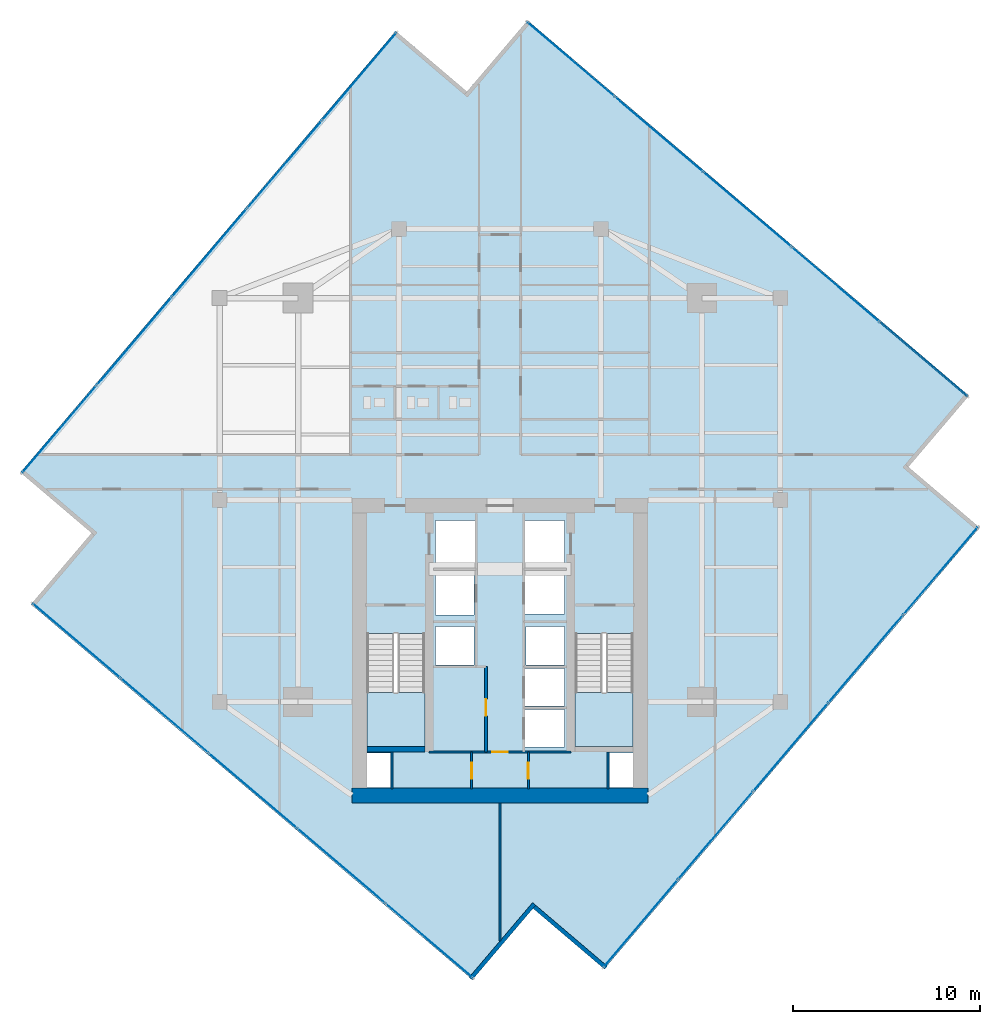
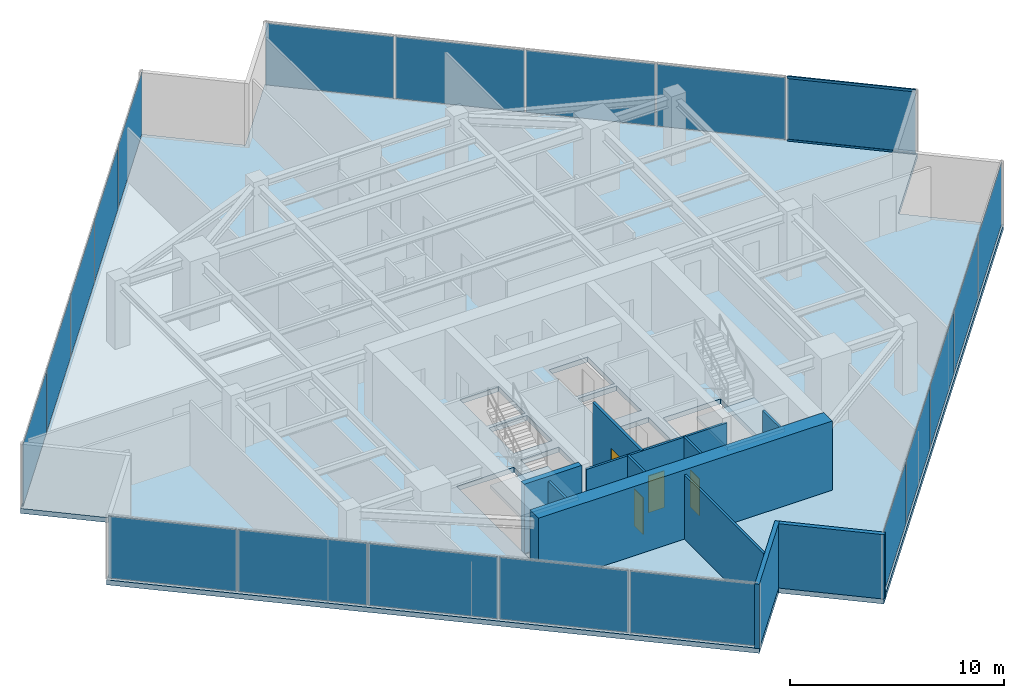
# One storey, part 21 of 26: 20 plates, 11 walls, 4 doors, 3 slabs, 2 members, 4 openings, 6 elements without a shape of their own.
"""IFC4 building model written with IfcOpenShell, lengths in metres."""

from ifc_helpers import new_model, si_unit, direction, frame, frame_2d, origin, origin_2d, place, context, subcontext, project, spatial, polyline, rectangle, hollow_rectangle, outline, extrude, source, transform, mapped, material, layer, layer_set, material_profile, profile_set, type_object, type_shapes, element, fill, aggregate, save


model = new_model("IFC4")

# Units and contexts
model_context = context("Model", 3, precision=1e-05, world=origin(), true_north=direction((0.0, 1.0)))
body_context = subcontext(model_context, "Body", "Model", "MODEL_VIEW")
ifc_project = project(units=[si_unit("LENGTHUNIT", "METRE"), si_unit("AREAUNIT", "SQUARE_METRE"), si_unit("VOLUMEUNIT", "CUBIC_METRE"), si_unit("PLANEANGLEUNIT", "RADIAN"), si_unit("MASSUNIT", "GRAM", prefix="KILO")], contexts=[model_context])

# Site, building, storey
site_placement = place(None, origin())
site = spatial("IfcSite", under=ifc_project, at=site_placement, CompositionType="ELEMENT")
building_placement = place(site_placement, origin())
building = spatial("IfcBuilding", under=site, at=building_placement, Name="Krantzveldt Concourse Tower", CompositionType="ELEMENT")
storey_placement = place(building_placement, frame((0.0, 0.0, 207.300048828125)))
storey = spatial("IfcBuildingStorey", under=building, at=storey_placement, Name="L50", CompositionType="ELEMENT", Elevation=207.300048828125)

# Curtain wall, members
ifc_material_1 = material(Name="Anodised aluminium 6063-T6", Category="aluminium")
curtain_wall_type = type_object("IfcCurtainWallType", Name="CW3", PredefinedType="USERDEFINED", material=ifc_material_1)
curtain_wall_1_placement = place(storey_placement, origin())
curtain_wall_1 = element("IfcCurtainWall", 1, at=curtain_wall_1_placement, inside=storey, type_object=curtain_wall_type, Name="CW-L50-F10", ObjectType="UNITISED CURTAIN WALL", PredefinedType="USERDEFINED")
ifc_material_profile = material_profile(ifc_material_1, hollow_rectangle(XDim=0.070068359375, YDim=0.139892578125, WallThickness=0.0048828125, at=origin_2d()), Name="Anodised aluminium 6063-T6", Category="aluminium")
ifc_profile_set = profile_set([ifc_material_profile], Name="Anodised aluminium 6063-T6 - ALU-TRAN 140x70x5")
member_type = type_object("IfcMemberType", Name="CW-TRN-150", PredefinedType="USERDEFINED", material=ifc_profile_set)
shared_shape_1 = source(origin(), body_context, "Body", "SweptSolid", [
    extrude(hollow_rectangle(XDim=0.070068359375, YDim=0.139892578125, WallThickness=0.0048828125, at=origin_2d()), origin(), (0.0, 0.0, 1.0), 6.094970703125),
])
type_shapes(member_type, [shared_shape_1])
member_1_placement = place(storey_placement, frame((60.976318359375, 32.25341796875, 0.034912109375), z_axis=(-0.761823672468, 0.64778444877, 0.0), x_axis=(-0.64778444877, -0.761823672468, 0.0)))
member_1 = element("IfcMember", 2, at=member_1_placement, type_object=member_type, Name="CW-Z34 transom 1.1", ObjectType="TRANSOM", PredefinedType="USERDEFINED", context=body_context, shape_type="MappedRepresentation", body=[
    mapped(shared_shape_1, transform((0.0, 0.0, 0.0), x_axis=(1.0, 0.0, 0.0), y_axis=(0.0, 1.0, 0.0), z_axis=(0.0, 0.0, 1.0), scale=1.0)),
])
member_2_placement = place(storey_placement, frame((60.976318359375, 32.25341796875, 3.635009765625), z_axis=(-0.761823672468, 0.64778444877, 0.0), x_axis=(-0.64778444877, -0.761823672468, 0.0)))
member_2 = element("IfcMember", 3, at=member_2_placement, type_object=member_type, Name="CW-Z34 transom 1.2", ObjectType="TRANSOM", PredefinedType="USERDEFINED", context=body_context, shape_type="MappedRepresentation", body=[
    mapped(shared_shape_1, transform((0.0, 0.0, 0.0), x_axis=(1.0, 0.0, 0.0), y_axis=(0.0, 1.0, 0.0), z_axis=(0.0, 0.0, 1.0), scale=1.0)),
])

# Stair, slab
ifc_material_2 = material(Name="Precast concrete C40/50", Category="concrete")
stair_type = type_object("IfcStairType", Name="STR-CORE-DOGLEG", PredefinedType="HALF_TURN_STAIR", material=ifc_material_2)
stair_1_placement = place(storey_placement, origin())
stair_1 = element("IfcStair", 4, at=stair_1_placement, inside=storey, type_object=stair_type, Name="L50 Protected Escape Stair ST-1", PredefinedType="HALF_TURN_STAIR")
ifc_layer_1 = layer(ifc_material_2, 0.199951171875, Name="Precast concrete C40/50", Category="concrete")
ifc_layer_set_1 = layer_set([ifc_layer_1], Name="Precast concrete C40/50 (SL-LANDING-200)")
slab_type_1 = type_object("IfcSlabType", Name="SL-LANDING-200", PredefinedType="LANDING", material=ifc_layer_set_1)
slab_1_placement = place(storey_placement, frame((0.0, 0.0, 1.77490234375)))
slab_1 = element("IfcSlab", 5, at=slab_1_placement, type_object=slab_type_1, Name="ST-1 landing 1", PredefinedType="LANDING", context=body_context, shape_type="SweptSolid", body=[
    extrude(outline(polyline([(28.8798828125, 16.4150390625), (28.8798828125, 13.52001953125), (31.97998046875, 13.52001953125), (31.97998046875, 16.4150390625), (28.8798828125, 16.4150390625)])), origin(), (0.0, 0.0, 1.0), 0.199951171875),
])
aggregate(stair_1, [slab_1])

stair_2_placement = place(storey_placement, origin())
stair_2 = element("IfcStair", 6, at=stair_2_placement, inside=storey, type_object=stair_type, Name="L50 Protected Escape Stair ST-2", PredefinedType="HALF_TURN_STAIR")
slab_2_placement = place(storey_placement, frame((0.0, 0.0, 1.77490234375)))
slab_2 = element("IfcSlab", 7, at=slab_2_placement, type_object=slab_type_1, Name="ST-2 landing 1", PredefinedType="LANDING", context=body_context, shape_type="SweptSolid", body=[
    extrude(outline(polyline([(40.02001953125, 16.4150390625), (40.02001953125, 13.52001953125), (43.1201171875, 13.52001953125), (43.1201171875, 16.4150390625), (40.02001953125, 16.4150390625)])), origin(), (0.0, 0.0, 1.0), 0.199951171875),
])
aggregate(stair_2, [slab_2])

# Slab
ifc_material_3 = material(Name="Concrete C40/50", Category="concrete")
ifc_layer_2 = layer(ifc_material_3, 0.280029296875, Name="Concrete C40/50", Category="concrete")
ifc_layer_set_2 = layer_set([ifc_layer_2], Name="Concrete C40/50 (SL-SL-TWR280)")
slab_type_2 = type_object("IfcSlabType", Name="SL-SL-TWR280", PredefinedType="FLOOR", material=ifc_layer_set_2)
slab_3_placement = place(storey_placement, frame((0.0, 0.0, -0.280029296875)))
element("IfcSlab", 8, at=slab_3_placement, inside=storey, type_object=slab_type_2, Name="SL-L50-MAIN", PredefinedType="FLOOR", context=body_context, shape_type="SweptSolid", body=[
    extrude(outline(polyline([(34.232421875, 48.548828125), (30.42333984375, 51.787841796875), (10.342041015625, 28.17138671875), (14.151123046875, 24.932373046875), (10.912109375, 21.123291015625), (34.528564453125, 1.0419921875), (37.767578125, 4.85107421875), (41.57666015625, 1.612060546875), (61.657958984375, 25.228515625), (57.848876953125, 28.467529296875), (61.087890625, 32.276611328125), (37.471435546875, 52.358154296875), (34.232421875, 48.548828125)]), holes=[polyline([(28.8798828125, 19.547607421875), (28.8798828125, 13.52001953125), (31.97998046875, 13.52001953125), (31.97998046875, 19.547607421875), (28.8798828125, 19.547607421875)]), polyline([(40.02001953125, 19.547607421875), (40.02001953125, 13.52001953125), (43.1201171875, 13.52001953125), (43.1201171875, 19.547607421875), (40.02001953125, 19.547607421875)]), polyline([(32.550048828125, 23.10009765625), (34.64990234375, 23.10009765625), (34.64990234375, 25.60009765625), (32.550048828125, 25.60009765625), (32.550048828125, 23.10009765625)]), polyline([(37.35009765625, 23.10009765625), (39.449951171875, 23.10009765625), (39.449951171875, 25.60009765625), (37.35009765625, 25.60009765625), (37.35009765625, 23.10009765625)]), polyline([(37.35009765625, 20.60009765625), (39.449951171875, 20.60009765625), (39.449951171875, 22.89990234375), (37.35009765625, 22.89990234375), (37.35009765625, 20.60009765625)]), polyline([(37.35009765625, 13.47998046875), (39.449951171875, 13.47998046875), (39.449951171875, 15.47998046875), (37.35009765625, 15.47998046875), (37.35009765625, 13.47998046875)]), polyline([(37.35009765625, 15.679931640625), (39.449951171875, 15.679931640625), (39.449951171875, 17.679931640625), (37.35009765625, 17.679931640625), (37.35009765625, 15.679931640625)]), polyline([(32.550048828125, 20.550048828125), (34.6201171875, 20.550048828125), (34.6201171875, 22.89990234375), (32.550048828125, 22.89990234375), (32.550048828125, 20.550048828125)]), polyline([(32.550048828125, 17.8798828125), (34.6201171875, 17.8798828125), (34.6201171875, 19.919921875), (32.550048828125, 19.919921875), (32.550048828125, 17.8798828125)]), polyline([(37.3798828125, 17.8798828125), (39.449951171875, 17.8798828125), (39.449951171875, 19.919921875), (37.3798828125, 19.919921875), (37.3798828125, 17.8798828125)]), polyline([(28.8798828125, 11.320068359375), (30.139892578125, 11.320068359375), (30.139892578125, 13.159912109375), (28.8798828125, 13.159912109375), (28.8798828125, 11.320068359375)]), polyline([(41.860107421875, 11.320068359375), (43.1201171875, 11.320068359375), (43.1201171875, 13.159912109375), (41.860107421875, 13.159912109375), (41.860107421875, 11.320068359375)])]), origin(), (0.0, 0.0, 1.0), 0.280029296875),
])

# Curtain wall, plates
curtain_wall_2_placement = place(storey_placement, origin())
curtain_wall_2 = element("IfcCurtainWall", 9, at=curtain_wall_2_placement, inside=storey, type_object=curtain_wall_type, Name="CW-L50-F01", ObjectType="UNITISED CURTAIN WALL", PredefinedType="USERDEFINED")
ifc_material_4 = material(Name="Bronze-tinted laminated low-E IGU glass", Category="glass")
ifc_layer_3 = layer(ifc_material_4, 0.031982421875, Name="Bronze-tinted laminated low-E IGU glass", Category="glass")
ifc_layer_set_3 = layer_set([ifc_layer_3], Name="Bronze-tinted laminated low-E IGU glass (CW-GLZ-32)")
plate_type = type_object("IfcPlateType", Name="CW-GLZ-32", PredefinedType="CURTAIN_PANEL", material=ifc_layer_set_3)
shared_shape_2 = source(origin(), body_context, "Body", "SweptSolid", [
    extrude(rectangle(XDim=6.094970703125, YDim=0.031982421875, at=origin_2d()), origin(), (0.0, 0.0, 1.0), 3.530029296875),
])
plate_1_placement = place(storey_placement, frame((28.472412109375, 49.3544921875, 0.06982421875), z_axis=(0.0, 0.0, 1.0), x_axis=(-0.647787694805, -0.761820912327, 0.0)))
plate_1 = element("IfcPlate", 10, at=plate_1_placement, type_object=plate_type, Name="CW-Z34 panel 1.1", PredefinedType="CURTAIN_PANEL", context=body_context, shape_type="MappedRepresentation", body=[
    mapped(shared_shape_2, transform((0.0, 0.0, 0.0), x_axis=(1.0, 0.0, 0.0), y_axis=(0.0, 1.0, 0.0), z_axis=(0.0, 0.0, 1.0), scale=1.0)),
])
plate_2_placement = place(storey_placement, frame((12.429931640625, 30.488037109375, 0.06982421875), z_axis=(0.0, 0.0, 1.0), x_axis=(-0.647787694805, -0.761820912327, 0.0)))
plate_2 = element("IfcPlate", 11, at=plate_2_placement, type_object=plate_type, Name="CW-Z34 panel 5.1", PredefinedType="CURTAIN_PANEL", context=body_context, shape_type="MappedRepresentation", body=[
    mapped(shared_shape_2, transform((0.0, 0.0, 0.0), x_axis=(1.0, 0.0, 0.0), y_axis=(0.0, 1.0, 0.0), z_axis=(0.0, 0.0, 1.0), scale=1.0)),
])

curtain_wall_3_placement = place(storey_placement, origin())
curtain_wall_3 = element("IfcCurtainWall", 12, at=curtain_wall_3_placement, inside=storey, type_object=curtain_wall_type, Name="CW-L50-F04", ObjectType="UNITISED CURTAIN WALL", PredefinedType="USERDEFINED")
plate_3_placement = place(storey_placement, frame((13.345458984375, 19.17236328125, 0.06982421875), z_axis=(0.0, 0.0, 1.0), x_axis=(0.761820912327, -0.647787694805, 0.0)))
plate_3 = element("IfcPlate", 13, at=plate_3_placement, type_object=plate_type, Name="CW-Z34 panel 1.1", PredefinedType="CURTAIN_PANEL", context=body_context, shape_type="MappedRepresentation", body=[
    mapped(shared_shape_2, transform((0.0, 0.0, 0.0), x_axis=(1.0, 0.0, 0.0), y_axis=(0.0, 1.0, 0.0), z_axis=(0.0, 0.0, 1.0), scale=1.0)),
])
plate_4_placement = place(storey_placement, frame((32.2119140625, 3.1298828125, 0.06982421875), z_axis=(0.0, 0.0, 1.0), x_axis=(0.761820912327, -0.647787694805, 0.0)))
plate_4 = element("IfcPlate", 14, at=plate_4_placement, type_object=plate_type, Name="CW-Z34 panel 5.1", PredefinedType="CURTAIN_PANEL", context=body_context, shape_type="MappedRepresentation", body=[
    mapped(shared_shape_2, transform((0.0, 0.0, 0.0), x_axis=(1.0, 0.0, 0.0), y_axis=(0.0, 1.0, 0.0), z_axis=(0.0, 0.0, 1.0), scale=1.0)),
])

curtain_wall_4_placement = place(storey_placement, origin())
curtain_wall_4 = element("IfcCurtainWall", 15, at=curtain_wall_4_placement, inside=storey, type_object=curtain_wall_type, Name="CW-L50-F07", ObjectType="UNITISED CURTAIN WALL", PredefinedType="USERDEFINED")
plate_5_placement = place(storey_placement, frame((43.527587890625, 4.04541015625, 0.06982421875), z_axis=(0.0, 0.0, 1.0), x_axis=(0.647787694805, 0.761820912327, 0.0)))
plate_5 = element("IfcPlate", 16, at=plate_5_placement, type_object=plate_type, Name="CW-Z34 panel 1.1", PredefinedType="CURTAIN_PANEL", context=body_context, shape_type="MappedRepresentation", body=[
    mapped(shared_shape_2, transform((0.0, 0.0, 0.0), x_axis=(1.0, 0.0, 0.0), y_axis=(0.0, 1.0, 0.0), z_axis=(0.0, 0.0, 1.0), scale=1.0)),
])
plate_6_placement = place(storey_placement, frame((59.570068359375, 22.911865234375, 0.06982421875), z_axis=(0.0, 0.0, 1.0), x_axis=(0.647787694805, 0.761820912327, 0.0)))
plate_6 = element("IfcPlate", 17, at=plate_6_placement, type_object=plate_type, Name="CW-Z34 panel 5.1", PredefinedType="CURTAIN_PANEL", context=body_context, shape_type="MappedRepresentation", body=[
    mapped(shared_shape_2, transform((0.0, 0.0, 0.0), x_axis=(1.0, 0.0, 0.0), y_axis=(0.0, 1.0, 0.0), z_axis=(0.0, 0.0, 1.0), scale=1.0)),
])

# Plate
plate_7_placement = place(storey_placement, frame((58.654541015625, 34.2275390625, 0.06982421875), z_axis=(0.0, 0.0, 1.0), x_axis=(-0.761820912327, 0.647787694805, 0.0)))
plate_7 = element("IfcPlate", 18, at=plate_7_placement, type_object=plate_type, Name="CW-Z34 panel 1.1", PredefinedType="CURTAIN_PANEL", context=body_context, shape_type="MappedRepresentation", body=[
    mapped(shared_shape_2, transform((0.0, 0.0, 0.0), x_axis=(1.0, 0.0, 0.0), y_axis=(0.0, 1.0, 0.0), z_axis=(0.0, 0.0, 1.0), scale=1.0)),
])

plate_8_placement = place(storey_placement, frame((39.7880859375, 50.27001953125, 0.06982421875), z_axis=(0.0, 0.0, 1.0), x_axis=(-0.761820912327, 0.647787694805, 0.0)))
plate_8 = element("IfcPlate", 19, at=plate_8_placement, type_object=plate_type, Name="CW-Z34 panel 5.1", PredefinedType="CURTAIN_PANEL", context=body_context, shape_type="MappedRepresentation", body=[
    mapped(shared_shape_2, transform((0.0, 0.0, 0.0), x_axis=(1.0, 0.0, 0.0), y_axis=(0.0, 1.0, 0.0), z_axis=(0.0, 0.0, 1.0), scale=1.0)),
])

shared_shape_3 = source(origin(), body_context, "Body", "SweptSolid", [
    extrude(rectangle(XDim=6.1298828125, YDim=0.031982421875, at=origin_2d()), origin(), (0.0, 0.0, 1.0), 3.530029296875),
])
type_shapes(plate_type, [shared_shape_2, shared_shape_3])
plate_9_placement = place(storey_placement, frame((24.467529296875, 44.64453125, 0.06982421875), z_axis=(0.0, 0.0, 1.0), x_axis=(-0.647787694805, -0.761820912327, 0.0)))
plate_9 = element("IfcPlate", 20, at=plate_9_placement, type_object=plate_type, Name="CW-Z34 panel 2.1", PredefinedType="CURTAIN_PANEL", context=body_context, shape_type="MappedRepresentation", body=[
    mapped(shared_shape_3, transform((0.0, 0.0, 0.0), x_axis=(1.0, 0.0, 0.0), y_axis=(0.0, 1.0, 0.0), z_axis=(0.0, 0.0, 1.0), scale=1.0)),
])

plate_10_placement = place(storey_placement, frame((20.451171875, 39.92138671875, 0.06982421875), z_axis=(0.0, 0.0, 1.0), x_axis=(-0.647787694805, -0.761820912327, 0.0)))
plate_10 = element("IfcPlate", 21, at=plate_10_placement, type_object=plate_type, Name="CW-Z34 panel 3.1", PredefinedType="CURTAIN_PANEL", context=body_context, shape_type="MappedRepresentation", body=[
    mapped(shared_shape_3, transform((0.0, 0.0, 0.0), x_axis=(1.0, 0.0, 0.0), y_axis=(0.0, 1.0, 0.0), z_axis=(0.0, 0.0, 1.0), scale=1.0)),
])

plate_11_placement = place(storey_placement, frame((16.43505859375, 35.197998046875, 0.06982421875), z_axis=(0.0, 0.0, 1.0), x_axis=(-0.647787694805, -0.761820912327, 0.0)))
plate_11 = element("IfcPlate", 22, at=plate_11_placement, type_object=plate_type, Name="CW-Z34 panel 4.1", PredefinedType="CURTAIN_PANEL", context=body_context, shape_type="MappedRepresentation", body=[
    mapped(shared_shape_3, transform((0.0, 0.0, 0.0), x_axis=(1.0, 0.0, 0.0), y_axis=(0.0, 1.0, 0.0), z_axis=(0.0, 0.0, 1.0), scale=1.0)),
])

aggregate(curtain_wall_2, [plate_1, plate_9, plate_10, plate_11, plate_2])

plate_12_placement = place(storey_placement, frame((18.055419921875, 15.16748046875, 0.06982421875), z_axis=(0.0, 0.0, 1.0), x_axis=(0.761820912327, -0.647787694805, 0.0)))
plate_12 = element("IfcPlate", 23, at=plate_12_placement, type_object=plate_type, Name="CW-Z34 panel 2.1", PredefinedType="CURTAIN_PANEL", context=body_context, shape_type="MappedRepresentation", body=[
    mapped(shared_shape_3, transform((0.0, 0.0, 0.0), x_axis=(1.0, 0.0, 0.0), y_axis=(0.0, 1.0, 0.0), z_axis=(0.0, 0.0, 1.0), scale=1.0)),
])

plate_13_placement = place(storey_placement, frame((22.778564453125, 11.151123046875, 0.06982421875), z_axis=(0.0, 0.0, 1.0), x_axis=(0.761820912327, -0.647787694805, 0.0)))
plate_13 = element("IfcPlate", 24, at=plate_13_placement, type_object=plate_type, Name="CW-Z34 panel 3.1", PredefinedType="CURTAIN_PANEL", context=body_context, shape_type="MappedRepresentation", body=[
    mapped(shared_shape_3, transform((0.0, 0.0, 0.0), x_axis=(1.0, 0.0, 0.0), y_axis=(0.0, 1.0, 0.0), z_axis=(0.0, 0.0, 1.0), scale=1.0)),
])

plate_14_placement = place(storey_placement, frame((27.501953125, 7.135009765625, 0.06982421875), z_axis=(0.0, 0.0, 1.0), x_axis=(0.761820912327, -0.647787694805, 0.0)))
plate_14 = element("IfcPlate", 25, at=plate_14_placement, type_object=plate_type, Name="CW-Z34 panel 4.1", PredefinedType="CURTAIN_PANEL", context=body_context, shape_type="MappedRepresentation", body=[
    mapped(shared_shape_3, transform((0.0, 0.0, 0.0), x_axis=(1.0, 0.0, 0.0), y_axis=(0.0, 1.0, 0.0), z_axis=(0.0, 0.0, 1.0), scale=1.0)),
])

aggregate(curtain_wall_3, [plate_3, plate_12, plate_13, plate_14, plate_4])

plate_15_placement = place(storey_placement, frame((47.532470703125, 8.75537109375, 0.06982421875), z_axis=(0.0, 0.0, 1.0), x_axis=(0.647787694805, 0.761820912327, 0.0)))
plate_15 = element("IfcPlate", 26, at=plate_15_placement, type_object=plate_type, Name="CW-Z34 panel 2.1", PredefinedType="CURTAIN_PANEL", context=body_context, shape_type="MappedRepresentation", body=[
    mapped(shared_shape_3, transform((0.0, 0.0, 0.0), x_axis=(1.0, 0.0, 0.0), y_axis=(0.0, 1.0, 0.0), z_axis=(0.0, 0.0, 1.0), scale=1.0)),
])

plate_16_placement = place(storey_placement, frame((51.548828125, 13.478759765625, 0.06982421875), z_axis=(0.0, 0.0, 1.0), x_axis=(0.647787694805, 0.761820912327, 0.0)))
plate_16 = element("IfcPlate", 27, at=plate_16_placement, type_object=plate_type, Name="CW-Z34 panel 3.1", PredefinedType="CURTAIN_PANEL", context=body_context, shape_type="MappedRepresentation", body=[
    mapped(shared_shape_3, transform((0.0, 0.0, 0.0), x_axis=(1.0, 0.0, 0.0), y_axis=(0.0, 1.0, 0.0), z_axis=(0.0, 0.0, 1.0), scale=1.0)),
])

plate_17_placement = place(storey_placement, frame((55.56494140625, 18.201904296875, 0.06982421875), z_axis=(0.0, 0.0, 1.0), x_axis=(0.647787694805, 0.761820912327, 0.0)))
plate_17 = element("IfcPlate", 28, at=plate_17_placement, type_object=plate_type, Name="CW-Z34 panel 4.1", PredefinedType="CURTAIN_PANEL", context=body_context, shape_type="MappedRepresentation", body=[
    mapped(shared_shape_3, transform((0.0, 0.0, 0.0), x_axis=(1.0, 0.0, 0.0), y_axis=(0.0, 1.0, 0.0), z_axis=(0.0, 0.0, 1.0), scale=1.0)),
])

aggregate(curtain_wall_4, [plate_5, plate_15, plate_16, plate_17, plate_6])

plate_18_placement = place(storey_placement, frame((53.944580078125, 38.232421875, 0.06982421875), z_axis=(0.0, 0.0, 1.0), x_axis=(-0.761820912327, 0.647787694805, 0.0)))
plate_18 = element("IfcPlate", 29, at=plate_18_placement, type_object=plate_type, Name="CW-Z34 panel 2.1", PredefinedType="CURTAIN_PANEL", context=body_context, shape_type="MappedRepresentation", body=[
    mapped(shared_shape_3, transform((0.0, 0.0, 0.0), x_axis=(1.0, 0.0, 0.0), y_axis=(0.0, 1.0, 0.0), z_axis=(0.0, 0.0, 1.0), scale=1.0)),
])

plate_19_placement = place(storey_placement, frame((49.221435546875, 42.248779296875, 0.06982421875), z_axis=(0.0, 0.0, 1.0), x_axis=(-0.761820912327, 0.647787694805, 0.0)))
plate_19 = element("IfcPlate", 30, at=plate_19_placement, type_object=plate_type, Name="CW-Z34 panel 3.1", PredefinedType="CURTAIN_PANEL", context=body_context, shape_type="MappedRepresentation", body=[
    mapped(shared_shape_3, transform((0.0, 0.0, 0.0), x_axis=(1.0, 0.0, 0.0), y_axis=(0.0, 1.0, 0.0), z_axis=(0.0, 0.0, 1.0), scale=1.0)),
])

plate_20_placement = place(storey_placement, frame((44.498046875, 46.26513671875, 0.06982421875), z_axis=(0.0, 0.0, 1.0), x_axis=(-0.761820912327, 0.647787694805, 0.0)))
plate_20 = element("IfcPlate", 31, at=plate_20_placement, type_object=plate_type, Name="CW-Z34 panel 4.1", PredefinedType="CURTAIN_PANEL", context=body_context, shape_type="MappedRepresentation", body=[
    mapped(shared_shape_3, transform((0.0, 0.0, 0.0), x_axis=(1.0, 0.0, 0.0), y_axis=(0.0, 1.0, 0.0), z_axis=(0.0, 0.0, 1.0), scale=1.0)),
])

aggregate(curtain_wall_1, [member_1, member_2, plate_7, plate_18, plate_19, plate_20, plate_8])

# Walls
ifc_layer_4 = layer(ifc_material_1, 0.219970703125, Name="Anodised aluminium 6063-T6", Category="aluminium")
ifc_layer_set_4 = layer_set([ifc_layer_4], Name="Anodised aluminium 6063-T6 (WL-EXT-NOTCH220)")
wall_type_1 = type_object("IfcWallType", Name="WL-EXT-NOTCH220", PredefinedType="ELEMENTEDWALL", material=ifc_layer_set_4)
wall_1_placement = place(storey_placement, frame((34.428466796875, 1.09423828125, 0.0), z_axis=(0.0, 0.0, 1.0), x_axis=(0.647807844474, 0.761803778304, 0.0)))
element("IfcWall", 32, at=wall_1_placement, inside=storey, type_object=wall_type_1, Name="EW-L50-NCH05", PredefinedType="ELEMENTEDWALL", context=body_context, shape_type="SweptSolid", body=[
    extrude(rectangle(XDim=5.244873046875, YDim=0.219970703125, at=frame_2d((2.62255859375, 0.0))), origin(), (0.0, 0.0, 1.0), 3.669921875),
])
wall_2_placement = place(storey_placement, frame((37.8388671875, 4.934814453125, 0.0), z_axis=(0.0, 0.0, 1.0), x_axis=(0.761819427757, -0.647789440707, 0.0)))
element("IfcWall", 33, at=wall_2_placement, inside=storey, type_object=wall_type_1, Name="EW-L50-NCH06", PredefinedType="ELEMENTEDWALL", context=body_context, shape_type="SweptSolid", body=[
    extrude(rectangle(XDim=5.02490234375, YDim=0.219970703125, at=frame_2d((2.512451171875, 0.0))), origin(), (0.0, 0.0, 1.0), 3.669921875),
])

# Wall, opening, door
ifc_material_5 = material(Name="Fire-rated gypsum plasterboard on steel stud", Category="steel")
ifc_layer_5 = layer(ifc_material_5, 0.1201171875, Name="Fire-rated gypsum plasterboard on steel stud", Category="steel")
ifc_layer_set_5 = layer_set([ifc_layer_5], Name="Fire-rated gypsum plasterboard on steel stud (WL-PART-120)")
wall_type_2 = type_object("IfcWallType", Name="WL-PART-120", PredefinedType="PARTITIONING", material=ifc_layer_set_5)
wall_3_placement = place(storey_placement, frame((32.2099609375, 13.219970703125, 0.0), z_axis=(0.0, 0.0, 1.0), x_axis=(1.0, 0.0, 0.0)))
wall_3 = element("IfcWall", 34, at=wall_3_placement, inside=storey, type_object=wall_type_2, Name="WP-L50-CS2H", PredefinedType="PARTITIONING", context=body_context, shape_type="SweptSolid", body=[
    extrude(rectangle(XDim=7.580078125, YDim=0.1201171875, at=frame_2d((3.7900390625, 0.0))), origin(), (0.0, 0.0, 1.0), 3.669921875),
])
opening_1_placement = place(wall_3_placement, frame((3.364990234375, 0.0, 0.0)))
opening_1 = element("IfcOpeningElement", 35, at=opening_1_placement, cuts=wall_3, Name="Opening D-IN085", PredefinedType="OPENING", context=body_context, shape_type="SweptSolid", body=[
    extrude(rectangle(XDim=0.85009765625, YDim=2.10009765625, at=frame_2d((0.425048828125, 1.050048828125))), frame((0.0, 0.070068359375, 0.0), z_axis=(0.0, -1.0, 0.0), x_axis=(1.0, 0.0, 0.0)), (0.0, 0.0, 1.0), 0.14013671875),
])
ifc_material_6 = material(Name="Hardwood timber", Category="wood")
door_type_1 = type_object("IfcDoorType", Name="DR-INT-850", OperationType="SINGLE_SWING_LEFT", PredefinedType="DOOR", material=ifc_material_6)
door_1_placement = place(opening_1_placement, origin())
door_1 = element("IfcDoor", 36, at=door_1_placement, inside=storey, type_object=door_type_1, Name="DR-L50-LLBS", OperationType="SINGLE_SWING_RIGHT", OverallHeight=2.10009765625, OverallWidth=0.85009765625, PredefinedType="DOOR", context=body_context, shape_type="SweptSolid", body=[
    extrude(rectangle(XDim=0.85009765625, YDim=2.10009765625, at=frame_2d((0.425048828125, 1.050048828125))), frame((0.0, 0.02490234375, 0.0), z_axis=(0.0, -1.0, 0.0), x_axis=(1.0, 0.0, 0.0)), (0.0, 0.0, 1.0), 0.050048828125),
])
fill(opening_1, door_1)

wall_4_placement = place(storey_placement, frame((34.47998046875, 11.25, 0.0), z_axis=(0.0, 0.0, 1.0), x_axis=(0.0, 1.0, 0.0)))
wall_4 = element("IfcWall", 37, at=wall_4_placement, inside=storey, type_object=wall_type_2, Name="WP-L50-CSB-VL", PredefinedType="PARTITIONING", context=body_context, shape_type="SweptSolid", body=[
    extrude(rectangle(XDim=1.969970703125, YDim=0.1201171875, at=frame_2d((0.98486328125, 0.0))), origin(), (0.0, 0.0, 1.0), 3.669921875),
])
opening_2_placement = place(wall_4_placement, frame((0.544921875, 0.0, 0.0)))
opening_2 = element("IfcOpeningElement", 38, at=opening_2_placement, cuts=wall_4, Name="Opening D-IN085", PredefinedType="OPENING", context=body_context, shape_type="SweptSolid", body=[
    extrude(rectangle(XDim=0.85009765625, YDim=2.10009765625, at=frame_2d((0.425048828125, 1.050048828125))), frame((0.0, 0.070068359375, 0.0), z_axis=(0.0, -1.0, 0.0), x_axis=(1.0, 0.0, 0.0)), (0.0, 0.0, 1.0), 0.14013671875),
])
door_2_placement = place(opening_2_placement, origin())
door_2 = element("IfcDoor", 39, at=door_2_placement, inside=storey, type_object=door_type_1, Name="DR-L50-CSB1", OperationType="SINGLE_SWING_LEFT", OverallHeight=2.10009765625, OverallWidth=0.85009765625, PredefinedType="DOOR", context=body_context, shape_type="SweptSolid", body=[
    extrude(rectangle(XDim=0.85009765625, YDim=2.10009765625, at=frame_2d((0.425048828125, 1.050048828125))), frame((0.0, 0.02490234375, 0.0), z_axis=(0.0, -1.0, 0.0), x_axis=(1.0, 0.0, 0.0)), (0.0, 0.0, 1.0), 0.050048828125),
])
fill(opening_2, door_2)

wall_5_placement = place(storey_placement, frame((37.52001953125, 11.25, 0.0), z_axis=(0.0, 0.0, 1.0), x_axis=(0.0, 1.0, 0.0)))
wall_5 = element("IfcWall", 40, at=wall_5_placement, inside=storey, type_object=wall_type_2, Name="WP-L50-CSB-VR", PredefinedType="PARTITIONING", context=body_context, shape_type="SweptSolid", body=[
    extrude(rectangle(XDim=1.969970703125, YDim=0.1201171875, at=frame_2d((0.98486328125, 0.0))), origin(), (0.0, 0.0, 1.0), 3.669921875),
])
opening_3_placement = place(wall_5_placement, frame((0.544921875, 0.0, 0.0)))
opening_3 = element("IfcOpeningElement", 41, at=opening_3_placement, cuts=wall_5, Name="Opening D-IN085", PredefinedType="OPENING", context=body_context, shape_type="SweptSolid", body=[
    extrude(rectangle(XDim=0.85009765625, YDim=2.10009765625, at=frame_2d((0.425048828125, 1.050048828125))), frame((0.0, 0.070068359375, 0.0), z_axis=(0.0, -1.0, 0.0), x_axis=(1.0, 0.0, 0.0)), (0.0, 0.0, 1.0), 0.14013671875),
])
door_3_placement = place(opening_3_placement, origin())
door_3 = element("IfcDoor", 42, at=door_3_placement, inside=storey, type_object=door_type_1, Name="DR-L50-CSB2", OperationType="SINGLE_SWING_RIGHT", OverallHeight=2.10009765625, OverallWidth=0.85009765625, PredefinedType="DOOR", context=body_context, shape_type="SweptSolid", body=[
    extrude(rectangle(XDim=0.85009765625, YDim=2.10009765625, at=frame_2d((0.425048828125, 1.050048828125))), frame((0.0, 0.02490234375, 0.0), z_axis=(0.0, -1.0, 0.0), x_axis=(1.0, 0.0, 0.0)), (0.0, 0.0, 1.0), 0.050048828125),
])
fill(opening_3, door_3)

# Wall
wall_6_placement = place(storey_placement, frame((36.0, 3.11962890625, 0.0), z_axis=(0.0, 0.0, 1.0), x_axis=(0.0, 1.0, 0.0)))
element("IfcWall", 43, at=wall_6_placement, inside=storey, type_object=wall_type_2, Name="WP-L50-SMID", PredefinedType="PARTITIONING", context=body_context, shape_type="SweptSolid", body=[
    extrude(rectangle(XDim=7.38037109375, YDim=0.1201171875, at=frame_2d((3.690185546875, 0.0))), origin(), (0.0, 0.0, 1.0), 3.669921875),
])

# Wall, opening, door
ifc_layer_6 = layer(ifc_material_5, 0.139892578125, Name="Fire-rated gypsum plasterboard on steel stud", Category="steel")
ifc_layer_set_6 = layer_set([ifc_layer_6], Name="Fire-rated gypsum plasterboard on steel stud (WL-PART-FR140)")
wall_type_3 = type_object("IfcWallType", Name="WL-PART-FR140", PredefinedType="PARTITIONING", material=ifc_layer_set_6)
wall_7_placement = place(storey_placement, frame((35.25, 13.219970703125, 0.0), z_axis=(0.0, 0.0, 1.0), x_axis=(0.0, 1.0, 0.0)))
wall_7 = element("IfcWall", 44, at=wall_7_placement, inside=storey, type_object=wall_type_3, Name="WP-L50-RECW", PredefinedType="PARTITIONING", context=body_context, shape_type="SweptSolid", body=[
    extrude(rectangle(XDim=4.56005859375, YDim=0.139892578125, at=frame_2d((2.280029296875, 0.0))), origin(), (0.0, 0.0, 1.0), 3.669921875),
])
opening_4_placement = place(wall_7_placement, frame((1.929931640625, 0.0, 0.0)))
opening_4 = element("IfcOpeningElement", 45, at=opening_4_placement, cuts=wall_7, Name="Opening D-FD090", PredefinedType="OPENING", context=body_context, shape_type="SweptSolid", body=[
    extrude(rectangle(XDim=0.89990234375, YDim=2.10009765625, at=frame_2d((0.449951171875, 1.050048828125))), frame((0.0, 0.080078125, 0.0), z_axis=(0.0, -1.0, 0.0), x_axis=(1.0, 0.0, 0.0)), (0.0, 0.0, 1.0), 0.159912109375),
])
door_type_2 = type_object("IfcDoorType", Name="DR-FD60-900", OperationType="SINGLE_SWING_LEFT", PredefinedType="DOOR", material=ifc_material_6)
door_4_placement = place(opening_4_placement, origin())
door_4 = element("IfcDoor", 46, at=door_4_placement, inside=storey, type_object=door_type_2, Name="DR-L50-RECW", OperationType="SINGLE_SWING_LEFT", OverallHeight=2.10009765625, OverallWidth=0.89990234375, PredefinedType="DOOR", context=body_context, shape_type="SweptSolid", body=[
    extrude(rectangle(XDim=0.89990234375, YDim=2.10009765625, at=frame_2d((0.449951171875, 1.050048828125))), frame((0.0, 0.02490234375, 0.0), z_axis=(0.0, -1.0, 0.0), x_axis=(1.0, 0.0, 0.0)), (0.0, 0.0, 1.0), 0.050048828125),
])
fill(opening_4, door_4)

# Walls
for number, where, z_axis, x_axis, name in (
    (47, (30.219970703125, 11.25, 0.0), (0.0, 0.0, 1.0), (0.0, 1.0, 0.0), "WP-L50-RSW"),
    (48, (41.780029296875, 11.25, 0.0), (0.0, 0.0, 1.0), (0.0, 1.0, 0.0), "WP-L50-RSE"),
):
    element("IfcWall", number, at=place(storey_placement, frame(where, z_axis=z_axis, x_axis=x_axis)), inside=storey, type_object=wall_type_3, Name=name, PredefinedType="PARTITIONING", context=body_context, shape_type="SweptSolid", body=[
        extrude(rectangle(XDim=1.969970703125, YDim=0.1201171875, at=frame_2d((0.98486328125, 0.0))), origin(), (0.0, 0.0, 1.0), 3.669921875),
    ])
ifc_material_7 = material(Name="Concrete C50/60", Category="concrete")
ifc_layer_7 = layer(ifc_material_7, 0.300048828125, Name="Concrete C50/60", Category="concrete")
ifc_layer_set_7 = layer_set([ifc_layer_7], Name="Concrete C50/60 (WL-SHEAR-300)")
wall_type_4 = type_object("IfcWallType", Name="WL-SHEAR-300", PredefinedType="SHEAR", material=ifc_layer_set_7)
wall_8_placement = place(storey_placement, frame((28.8798828125, 13.3701171875, 0.0), z_axis=(0.0, 0.0, 1.0), x_axis=(1.0, 0.0, 0.0)))
element("IfcWall", 49, at=wall_8_placement, inside=storey, type_object=wall_type_4, Name="CW-L50-ST1S", PredefinedType="SHEAR", context=body_context, shape_type="SweptSolid", body=[
    extrude(rectangle(XDim=3.10009765625, YDim=0.300048828125, at=frame_2d((1.550048828125, 0.0))), origin(), (0.0, 0.0, 1.0), 3.949951171875),
])
ifc_material_8 = material(Name="Concrete C60/75", Category="concrete")
ifc_layer_8 = layer(ifc_material_8, 0.800048828125, Name="Concrete C60/75", Category="concrete")
ifc_layer_set_8 = layer_set([ifc_layer_8], Name="Concrete C60/75 (WL-SHEAR-800)")
wall_type_5 = type_object("IfcWallType", Name="WL-SHEAR-800", PredefinedType="SHEAR", material=ifc_layer_set_8)
wall_9_placement = place(storey_placement, frame((28.080078125, 10.89990234375, 0.0), z_axis=(0.0, 0.0, 1.0), x_axis=(1.0, 0.0, 0.0)))
element("IfcWall", 50, at=wall_9_placement, inside=storey, type_object=wall_type_5, Name="CW-L50-S", PredefinedType="SHEAR", context=body_context, shape_type="SweptSolid", body=[
    extrude(rectangle(XDim=15.83984375, YDim=0.800048828125, at=frame_2d((7.919921875, 0.0))), origin(), (0.0, 0.0, 1.0), 3.949951171875),
])

save(model, "model.ifc")
